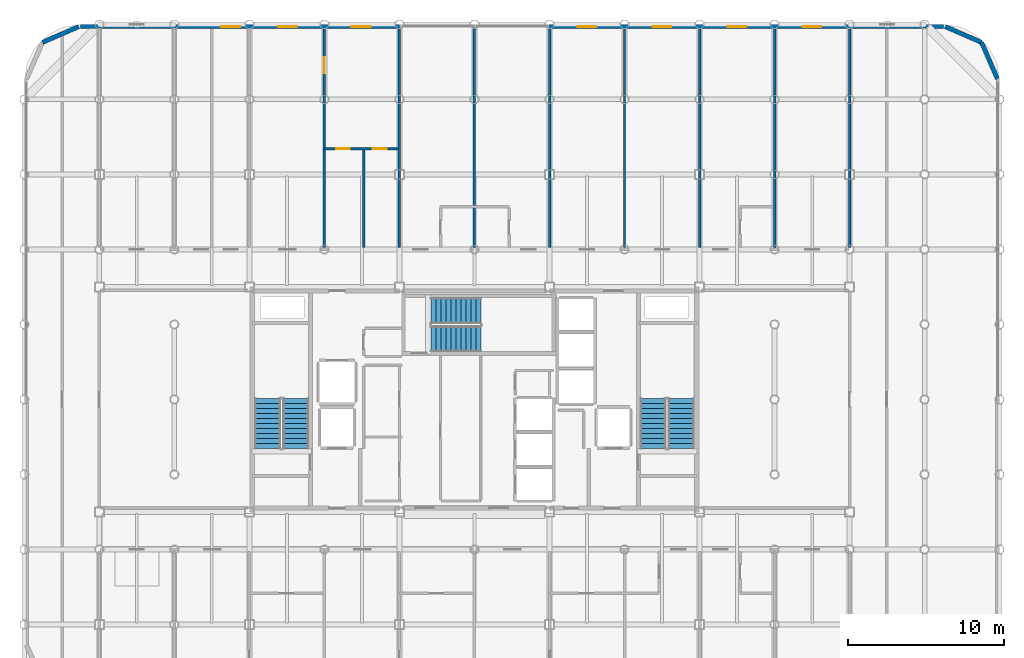
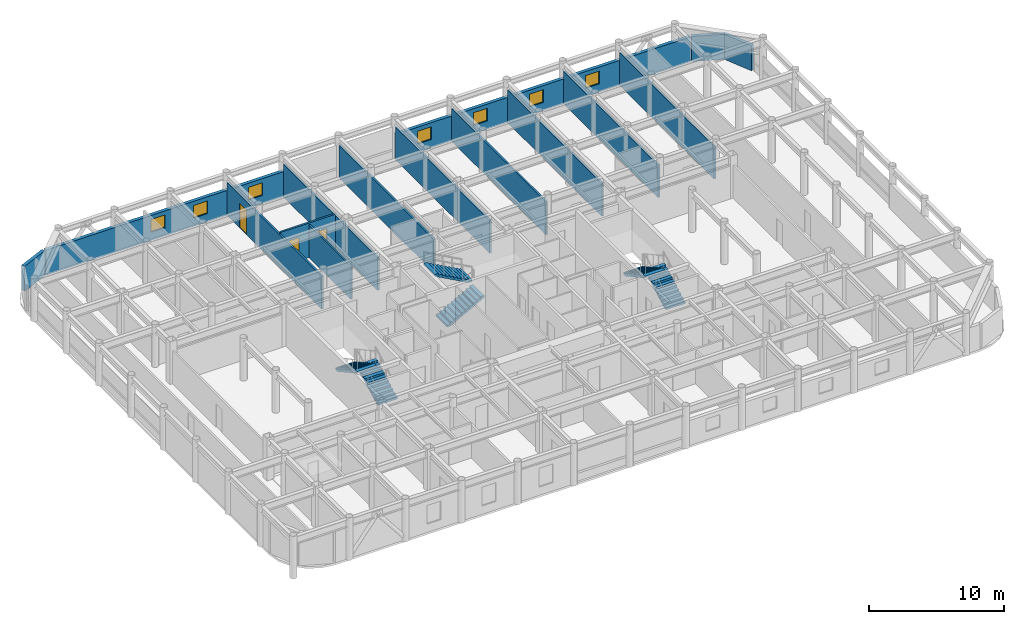
# One storey, part 22 of 24: 15 walls, 7 windows, 6 stair flights, 3 doors, 10 openings, 3 elements without a shape of their own.
"""IFC4 building model written with IfcOpenShell, lengths in metres."""

from ifc_helpers import new_model, si_unit, direction, frame, frame_2d, origin, place, context, subcontext, project, spatial, polyline, rectangle, outline, extrude, material, layer, layer_set, type_object, element, fill, aggregate, save


model = new_model("IFC4")

# Units and contexts
model_context = context("Model", 3, precision=1e-05, world=origin(), true_north=direction((0.0, 1.0)))
body_context = subcontext(model_context, "Body", "Model", "MODEL_VIEW")
ifc_project = project(units=[si_unit("LENGTHUNIT", "METRE"), si_unit("AREAUNIT", "SQUARE_METRE"), si_unit("VOLUMEUNIT", "CUBIC_METRE"), si_unit("PLANEANGLEUNIT", "RADIAN"), si_unit("MASSUNIT", "GRAM", prefix="KILO")], contexts=[model_context])

# Site, building, storey
site_placement = place(None, origin())
site = spatial("IfcSite", under=ifc_project, at=site_placement, CompositionType="ELEMENT")
building_placement = place(site_placement, origin())
building = spatial("IfcBuilding", under=site, at=building_placement, Name="Kallvorn Hotel Tower", CompositionType="ELEMENT")
storey_placement = place(building_placement, frame((0.0, 0.0, 233.85009765625)))
storey = spatial("IfcBuildingStorey", under=building, at=storey_placement, Name="L58", CompositionType="ELEMENT", Elevation=233.85009765625)

# Wall, openings, doors
ifc_material_1 = material(Name="Fire-rated double-layer acoustic gypsum drywall EI 60")
ifc_layer_1 = layer(ifc_material_1, 0.159912109375)
ifc_layer_set_1 = layer_set([ifc_layer_1], Name="WL_DEMISE_160")
wall_type_1 = type_object("IfcWallType", Name="WL_DEMISE_160", PredefinedType="PARTITIONING", material=ifc_layer_set_1)
wall_1_placement = place(storey_placement, frame((-9.60009765625, 16.050048828125, 0.0), z_axis=(0.0, 0.0, 1.0), x_axis=(1.0, 0.0, 0.0)))
wall_1 = element("IfcWall", 1, at=wall_1_placement, inside=storey, type_object=wall_type_1, Name="L58 Suite 5806 Junior Bedroom Partition", PredefinedType="PARTITIONING", context=body_context, shape_type="SweptSolid", body=[
    extrude(rectangle(XDim=4.72021484375, YDim=0.159912109375, at=frame_2d((2.360107421875, 0.0))), origin(), (0.0, 0.0, 1.0), 3.119873046875),
])
opening_1_placement = place(wall_1_placement, frame((0.75, 0.0, 0.0)))
opening_1 = element("IfcOpeningElement", 2, at=opening_1_placement, cuts=wall_1, Name="Opening BD-I", PredefinedType="OPENING", context=body_context, shape_type="SweptSolid", body=[
    extrude(rectangle(XDim=0.860107421875, YDim=2.10009765625, at=frame_2d((0.43017578125, 1.050048828125))), frame((0.0, 0.094970703125, 0.0), z_axis=(0.0, -1.0, 0.0), x_axis=(1.0, 0.0, 0.0)), (0.0, 0.0, 1.0), 0.18994140625),
])
opening_2_placement = place(wall_1_placement, frame((3.090087890625, 0.0, 0.0)))
opening_2 = element("IfcOpeningElement", 3, at=opening_2_placement, cuts=wall_1, Name="Opening SVD1", PredefinedType="OPENING", context=body_context, shape_type="SweptSolid", body=[
    extrude(rectangle(XDim=0.89990234375, YDim=2.10009765625, at=frame_2d((0.449951171875, 1.050048828125))), frame((0.0, 0.094970703125, 0.0), z_axis=(0.0, -1.0, 0.0), x_axis=(1.0, 0.0, 0.0)), (0.0, 0.0, 1.0), 0.18994140625),
])
ifc_material_2 = material(Name="Solid-core walnut veneer fire-rated timber door leaf", Category="wood")
door_type_1 = type_object("IfcDoorType", Name="DR_BATH_860x2100", OperationType="NOTDEFINED", PredefinedType="DOOR", material=ifc_material_2)
door_1_placement = place(opening_1_placement, origin())
door_1 = element("IfcDoor", 4, at=door_1_placement, inside=storey, type_object=door_type_1, Name="L58 Suite 5806 En-Suite Bathroom Door", OperationType="SINGLE_SWING_RIGHT", OverallHeight=2.10009765625, OverallWidth=0.860107421875, PredefinedType="DOOR", context=body_context, shape_type="SweptSolid", body=[
    extrude(rectangle(XDim=0.860107421875, YDim=2.10009765625, at=frame_2d((0.43017578125, 1.050048828125))), frame((0.0, 0.02490234375, 0.0), z_axis=(0.0, -1.0, 0.0), x_axis=(1.0, 0.0, 0.0)), (0.0, 0.0, 1.0), 0.050048828125),
])
fill(opening_1, door_1)
ifc_material_3 = material(Name="Galvanised painted steel fire-rated door assembly", Category="steel")
door_type_2 = type_object("IfcDoorType", Name="DR_SERV_900x2100", OperationType="NOTDEFINED", PredefinedType="DOOR", material=ifc_material_3)
door_2_placement = place(opening_2_placement, origin())
door_2 = element("IfcDoor", 5, at=door_2_placement, inside=storey, type_object=door_type_2, Name="L58 Suite 5806 Walk-In Dressing Closet Door", OperationType="SINGLE_SWING_LEFT", OverallHeight=2.10009765625, OverallWidth=0.89990234375, PredefinedType="DOOR", context=body_context, shape_type="SweptSolid", body=[
    extrude(rectangle(XDim=0.89990234375, YDim=2.10009765625, at=frame_2d((0.449951171875, 1.050048828125))), frame((0.0, 0.02490234375, 0.0), z_axis=(0.0, -1.0, 0.0), x_axis=(1.0, 0.0, 0.0)), (0.0, 0.0, 1.0), 0.050048828125),
])
fill(opening_2, door_2)

# Wall, opening, door
wall_2_placement = place(storey_placement, frame((-9.60009765625, 9.719970703125, 0.0), z_axis=(0.0, 0.0, 1.0), x_axis=(0.0, 1.0, 0.0)))
wall_2 = element("IfcWall", 6, at=wall_2_placement, inside=storey, type_object=wall_type_1, Name="L58 Suite 5806 Junior Living Salon Partition", PredefinedType="PARTITIONING", context=body_context, shape_type="SweptSolid", body=[
    extrude(rectangle(XDim=13.989990234375, YDim=0.159912109375, at=frame_2d((6.9951171875, 0.0))), origin(), (0.0, 0.0, 1.0), 2.969970703125),
])
opening_3_placement = place(wall_2_placement, frame((11.136962890625, 0.0, 0.0)))
opening_3 = element("IfcOpeningElement", 7, at=opening_3_placement, cuts=wall_2, Name="Opening GD2", PredefinedType="OPENING", context=body_context, shape_type="SweptSolid", body=[
    extrude(rectangle(XDim=1.050048828125, YDim=2.199951171875, at=frame_2d((0.52490234375, 1.10009765625))), frame((0.0, 0.094970703125, 0.0), z_axis=(0.0, -1.0, 0.0), x_axis=(1.0, 0.0, 0.0)), (0.0, 0.0, 1.0), 0.18994140625),
])
ifc_material_4 = material(Name="Solid-core walnut veneer fire-rated timber door leaf", Category="wood")
door_type_3 = type_object("IfcDoorType", Name="DR_SUITE_1050x2200", OperationType="NOTDEFINED", PredefinedType="DOOR", material=ifc_material_4)
door_3_placement = place(opening_3_placement, origin())
door_3 = element("IfcDoor", 8, at=door_3_placement, inside=storey, type_object=door_type_3, Name="L58 Suite 5806 Junior Bedroom Door", OperationType="SINGLE_SWING_LEFT", OverallHeight=2.199951171875, OverallWidth=1.050048828125, PredefinedType="DOOR", context=body_context, shape_type="SweptSolid", body=[
    extrude(rectangle(XDim=1.050048828125, YDim=2.199951171875, at=frame_2d((0.52490234375, 1.10009765625))), frame((0.0, 0.02490234375, 0.0), z_axis=(0.0, -1.0, 0.0), x_axis=(1.0, 0.0, 0.0)), (0.0, 0.0, 1.0), 0.050048828125),
])
fill(opening_3, door_3)

# Walls
wall_3_placement = place(storey_placement, frame((-4.800048828125, 9.719970703125, 0.0), z_axis=(0.0, 0.0, 1.0), x_axis=(0.0, 1.0, 0.0)))
element("IfcWall", 9, at=wall_3_placement, inside=storey, type_object=wall_type_1, Name="L58 Suite 5807 Standard King Room Partition", PredefinedType="PARTITIONING", context=body_context, shape_type="SweptSolid", body=[
    extrude(rectangle(XDim=13.989990234375, YDim=0.159912109375, at=frame_2d((6.9951171875, 0.0))), origin(), (0.0, 0.0, 1.0), 2.969970703125),
])
wall_4_placement = place(storey_placement, frame((0.0, 9.719970703125, 0.0), z_axis=(0.0, 0.0, 1.0), x_axis=(0.0, 1.0, 0.0)))
element("IfcWall", 10, at=wall_4_placement, inside=storey, type_object=wall_type_1, Name="L58 Suite 5807 Standard King Room Partition", PredefinedType="PARTITIONING", context=body_context, shape_type="SweptSolid", body=[
    extrude(rectangle(XDim=14.074951171875, YDim=0.159912109375, at=frame_2d((7.03759765625, 0.0))), origin(), (0.0, 0.0, 1.0), 2.969970703125),
])
for number, where, z_axis, x_axis, name in (
    (11, (4.800048828125, 9.719970703125, 0.0), (0.0, 0.0, 1.0), (0.0, 1.0, 0.0), "L58 Suite 5808 Standard King Room Partition"),
    (12, (14.39990234375, 9.719970703125, 0.0), (0.0, 0.0, 1.0), (0.0, 1.0, 0.0), "L58 Suite 5809 Standard Twin Room Partition"),
    (13, (19.199951171875, 9.719970703125, 0.0), (0.0, 0.0, 1.0), (0.0, 1.0, 0.0), "L58 Suite 5809 Standard Twin Room Partition"),
):
    element("IfcWall", number, at=place(storey_placement, frame(where, z_axis=z_axis, x_axis=x_axis)), inside=storey, type_object=wall_type_1, Name=name, PredefinedType="PARTITIONING", context=body_context, shape_type="SweptSolid", body=[
        extrude(rectangle(XDim=13.989990234375, YDim=0.159912109375, at=frame_2d((6.9951171875, 0.0))), origin(), (0.0, 0.0, 1.0), 2.969970703125),
    ])
ifc_material_5 = material(Name="Precast basalt-clad insulated concrete wall C40/50", Category="masonry")
ifc_layer_2 = layer(ifc_material_5, 0.280029296875)
ifc_layer_set_2 = layer_set([ifc_layer_2], Name="WL_EXT_LOGGIA_280")
wall_type_2 = type_object("IfcWallType", Name="WL_EXT_LOGGIA_280", PredefinedType="SOLIDWALL", material=ifc_layer_set_2)
wall_5_placement = place(storey_placement, frame((33.4580078125, 20.520751953125, 0.0), z_axis=(0.0, 0.0, 1.0), x_axis=(-0.398792985289, 0.917040977756, 0.0)))
element("IfcWall", 14, at=wall_5_placement, inside=storey, type_object=wall_type_2, Name="L58 Rounded Corner Exterior Wall NE1", PredefinedType="SOLIDWALL", context=body_context, shape_type="SweptSolid", body=[
    extrude(rectangle(XDim=2.536376953125, YDim=0.280029296875, at=frame_2d((1.26806640625, 0.0))), origin(), (0.0, 0.0, 1.0), 2.27001953125),
])
for number, where, z_axis, x_axis, name in (
    (15, (32.446533203125, 22.8466796875, 0.0), (0.0, 0.0, 1.0), (-0.917060872934, 0.398747232384, 0.0), "L58 Rounded Corner Exterior Wall NE2"),
    (16, (-25.32080078125, 23.85791015625, 0.0), (0.0, 0.0, 1.0), (-0.917060872934, -0.398747232384, 0.0), "L58 Rounded Corner Exterior Wall NW1"),
):
    element("IfcWall", number, at=place(storey_placement, frame(where, z_axis=z_axis, x_axis=x_axis)), inside=storey, type_object=wall_type_2, Name=name, PredefinedType="SOLIDWALL", context=body_context, shape_type="SweptSolid", body=[
        extrude(rectangle(XDim=2.5361328125, YDim=0.280029296875, at=frame_2d((1.26806640625, 0.0))), origin(), (0.0, 0.0, 1.0), 2.27001953125),
    ])

# Wall, openings, windows
wall_6_placement = place(storey_placement, frame((-25.199951171875, 23.860107421875, 0.0), z_axis=(0.0, 0.0, 1.0), x_axis=(1.0, 0.0, 0.0)))
wall_6 = element("IfcWall", 17, at=wall_6_placement, inside=storey, type_object=wall_type_2, Name="L58 Exterior Envelope Wall EW-L58-NW", PredefinedType="SOLIDWALL", context=body_context, shape_type="SweptSolid", body=[
    extrude(rectangle(XDim=20.449951171875, YDim=0.280029296875, at=frame_2d((10.22509765625, 0.0))), origin(), (0.0, 0.0, 1.0), 2.27001953125),
])
opening_4_placement = place(wall_6_placement, frame((9.0, 0.0, 0.75)))
opening_4 = element("IfcOpeningElement", 18, at=opening_4_placement, cuts=wall_6, Name="Opening W06A", PredefinedType="OPENING", context=body_context, shape_type="SweptSolid", body=[
    extrude(rectangle(XDim=1.199951171875, YDim=1.14990234375, at=frame_2d((0.60009765625, 0.574951171875))), frame((0.0, 0.155029296875, 0.0), z_axis=(0.0, -1.0, 0.0), x_axis=(1.0, 0.0, 0.0)), (0.0, 0.0, 1.0), 0.31005859375),
])
opening_5_placement = place(wall_6_placement, frame((12.639892578125, 0.0, 0.75)))
opening_5 = element("IfcOpeningElement", 19, at=opening_5_placement, cuts=wall_6, Name="Opening W06A", PredefinedType="OPENING", context=body_context, shape_type="SweptSolid", body=[
    extrude(rectangle(XDim=1.199951171875, YDim=1.14990234375, at=frame_2d((0.60009765625, 0.574951171875))), frame((0.0, 0.155029296875, 0.0), z_axis=(0.0, -1.0, 0.0), x_axis=(1.0, 0.0, 0.0)), (0.0, 0.0, 1.0), 0.31005859375),
])
opening_6_placement = place(wall_6_placement, frame((17.360107421875, 0.0, 0.75)))
opening_6 = element("IfcOpeningElement", 20, at=opening_6_placement, cuts=wall_6, Name="Opening W06A", PredefinedType="OPENING", context=body_context, shape_type="SweptSolid", body=[
    extrude(rectangle(XDim=1.199951171875, YDim=1.14990234375, at=frame_2d((0.60009765625, 0.574951171875))), frame((0.0, 0.155029296875, 0.0), z_axis=(0.0, -1.0, 0.0), x_axis=(1.0, 0.0, 0.0)), (0.0, 0.0, 1.0), 0.31005859375),
])
ifc_material_6 = material(Name="Triple-glazed low-e acoustic solar-control dark glass", Category="glass")
window_type = type_object("IfcWindowType", Name="WN_HTL_1200x1150", PartitioningType="SINGLE_PANEL", PredefinedType="WINDOW", material=ifc_material_6)
window_1_placement = place(opening_4_placement, origin())
window_1 = element("IfcWindow", 21, at=window_1_placement, inside=storey, type_object=window_type, Name="L58 Guestroom Exterior Window 09", OverallHeight=1.14990234375, OverallWidth=1.199951171875, PartitioningType="SINGLE_PANEL", PredefinedType="WINDOW", context=body_context, shape_type="SweptSolid", body=[
    extrude(rectangle(XDim=1.199951171875, YDim=1.14990234375, at=frame_2d((0.60009765625, 0.574951171875))), frame((0.0, 0.030029296875, 0.0), z_axis=(0.0, -1.0, 0.0), x_axis=(1.0, 0.0, 0.0)), (0.0, 0.0, 1.0), 0.06005859375),
])
fill(opening_4, window_1)
window_2_placement = place(opening_5_placement, origin())
window_2 = element("IfcWindow", 22, at=window_2_placement, inside=storey, type_object=window_type, Name="L58 Guestroom Exterior Window 10", OverallHeight=1.14990234375, OverallWidth=1.199951171875, PartitioningType="SINGLE_PANEL", PredefinedType="WINDOW", context=body_context, shape_type="SweptSolid", body=[
    extrude(rectangle(XDim=1.199951171875, YDim=1.14990234375, at=frame_2d((0.60009765625, 0.574951171875))), frame((0.0, 0.030029296875, 0.0), z_axis=(0.0, -1.0, 0.0), x_axis=(1.0, 0.0, 0.0)), (0.0, 0.0, 1.0), 0.06005859375),
])
fill(opening_5, window_2)
window_3_placement = place(opening_6_placement, origin())
window_3 = element("IfcWindow", 23, at=window_3_placement, inside=storey, type_object=window_type, Name="L58 Guestroom Exterior Window 11", OverallHeight=1.14990234375, OverallWidth=1.199951171875, PartitioningType="SINGLE_PANEL", PredefinedType="WINDOW", context=body_context, shape_type="SweptSolid", body=[
    extrude(rectangle(XDim=1.199951171875, YDim=1.14990234375, at=frame_2d((0.60009765625, 0.574951171875))), frame((0.0, 0.030029296875, 0.0), z_axis=(0.0, -1.0, 0.0), x_axis=(1.0, 0.0, 0.0)), (0.0, 0.0, 1.0), 0.06005859375),
])
fill(opening_6, window_3)

wall_7_placement = place(storey_placement, frame((4.75, 23.860107421875, 0.0), z_axis=(0.0, 0.0, 1.0), x_axis=(1.0, 0.0, 0.0)))
wall_7 = element("IfcWall", 24, at=wall_7_placement, inside=storey, type_object=wall_type_2, Name="L58 Exterior Envelope Wall EW-L58-NE", PredefinedType="SOLIDWALL", context=body_context, shape_type="SweptSolid", body=[
    extrude(rectangle(XDim=25.25, YDim=0.280029296875, at=frame_2d((12.625, 0.0))), origin(), (0.0, 0.0, 1.0), 2.27001953125),
])
opening_7_placement = place(wall_7_placement, frame((16.25, 0.0, 0.75)))
opening_7 = element("IfcOpeningElement", 25, at=opening_7_placement, cuts=wall_7, Name="Opening W06A", PredefinedType="OPENING", context=body_context, shape_type="SweptSolid", body=[
    extrude(rectangle(XDim=1.199951171875, YDim=1.14990234375, at=frame_2d((0.60009765625, 0.574951171875))), frame((0.0, 0.155029296875, 0.0), z_axis=(0.0, -1.0, 0.0), x_axis=(1.0, 0.0, 0.0)), (0.0, 0.0, 1.0), 0.31005859375),
])
opening_8_placement = place(wall_7_placement, frame((1.85009765625, 0.0, 0.75)))
opening_8 = element("IfcOpeningElement", 26, at=opening_8_placement, cuts=wall_7, Name="Opening W06A", PredefinedType="OPENING", context=body_context, shape_type="SweptSolid", body=[
    extrude(rectangle(XDim=1.199951171875, YDim=1.14990234375, at=frame_2d((0.60009765625, 0.574951171875))), frame((0.0, 0.155029296875, 0.0), z_axis=(0.0, -1.0, 0.0), x_axis=(1.0, 0.0, 0.0)), (0.0, 0.0, 1.0), 0.31005859375),
])
opening_9_placement = place(wall_7_placement, frame((6.64990234375, 0.0, 0.75)))
opening_9 = element("IfcOpeningElement", 27, at=opening_9_placement, cuts=wall_7, Name="Opening W06A", PredefinedType="OPENING", context=body_context, shape_type="SweptSolid", body=[
    extrude(rectangle(XDim=1.199951171875, YDim=1.14990234375, at=frame_2d((0.60009765625, 0.574951171875))), frame((0.0, 0.155029296875, 0.0), z_axis=(0.0, -1.0, 0.0), x_axis=(1.0, 0.0, 0.0)), (0.0, 0.0, 1.0), 0.31005859375),
])
opening_10_placement = place(wall_7_placement, frame((11.449951171875, 0.0, 0.75)))
opening_10 = element("IfcOpeningElement", 28, at=opening_10_placement, cuts=wall_7, Name="Opening W06A", PredefinedType="OPENING", context=body_context, shape_type="SweptSolid", body=[
    extrude(rectangle(XDim=1.199951171875, YDim=1.14990234375, at=frame_2d((0.60009765625, 0.574951171875))), frame((0.0, 0.155029296875, 0.0), z_axis=(0.0, -1.0, 0.0), x_axis=(1.0, 0.0, 0.0)), (0.0, 0.0, 1.0), 0.31005859375),
])
window_4_placement = place(opening_7_placement, origin())
window_4 = element("IfcWindow", 29, at=window_4_placement, inside=storey, type_object=window_type, Name="L58 Guestroom Exterior Window 02", OverallHeight=1.14990234375, OverallWidth=1.199951171875, PartitioningType="SINGLE_PANEL", PredefinedType="WINDOW", context=body_context, shape_type="SweptSolid", body=[
    extrude(rectangle(XDim=1.199951171875, YDim=1.14990234375, at=frame_2d((0.60009765625, 0.574951171875))), frame((0.0, 0.030029296875, 0.0), z_axis=(0.0, -1.0, 0.0), x_axis=(1.0, 0.0, 0.0)), (0.0, 0.0, 1.0), 0.06005859375),
])
fill(opening_7, window_4)
window_5_placement = place(opening_8_placement, origin())
window_5 = element("IfcWindow", 30, at=window_5_placement, inside=storey, type_object=window_type, Name="L58 Guestroom Exterior Window 12", OverallHeight=1.14990234375, OverallWidth=1.199951171875, PartitioningType="SINGLE_PANEL", PredefinedType="WINDOW", context=body_context, shape_type="SweptSolid", body=[
    extrude(rectangle(XDim=1.199951171875, YDim=1.14990234375, at=frame_2d((0.60009765625, 0.574951171875))), frame((0.0, 0.030029296875, 0.0), z_axis=(0.0, -1.0, 0.0), x_axis=(1.0, 0.0, 0.0)), (0.0, 0.0, 1.0), 0.06005859375),
])
fill(opening_8, window_5)
window_6_placement = place(opening_9_placement, origin())
window_6 = element("IfcWindow", 31, at=window_6_placement, inside=storey, type_object=window_type, Name="L58 Guestroom Exterior Window 13", OverallHeight=1.14990234375, OverallWidth=1.199951171875, PartitioningType="SINGLE_PANEL", PredefinedType="WINDOW", context=body_context, shape_type="SweptSolid", body=[
    extrude(rectangle(XDim=1.199951171875, YDim=1.14990234375, at=frame_2d((0.60009765625, 0.574951171875))), frame((0.0, 0.030029296875, 0.0), z_axis=(0.0, -1.0, 0.0), x_axis=(1.0, 0.0, 0.0)), (0.0, 0.0, 1.0), 0.06005859375),
])
fill(opening_9, window_6)
window_7_placement = place(opening_10_placement, origin())
window_7 = element("IfcWindow", 32, at=window_7_placement, inside=storey, type_object=window_type, Name="L58 Guestroom Exterior Window 14", OverallHeight=1.14990234375, OverallWidth=1.199951171875, PartitioningType="SINGLE_PANEL", PredefinedType="WINDOW", context=body_context, shape_type="SweptSolid", body=[
    extrude(rectangle(XDim=1.199951171875, YDim=1.14990234375, at=frame_2d((0.60009765625, 0.574951171875))), frame((0.0, 0.030029296875, 0.0), z_axis=(0.0, -1.0, 0.0), x_axis=(1.0, 0.0, 0.0)), (0.0, 0.0, 1.0), 0.06005859375),
])
fill(opening_10, window_7)

# Walls
ifc_material_7 = material(Name="Fire-rated double-layer acoustic gypsum drywall EI 60")
ifc_layer_3 = layer(ifc_material_7, 0.14990234375)
ifc_layer_set_3 = layer_set([ifc_layer_3], Name="WL_PART_150")
wall_type_3 = type_object("IfcWallType", Name="WL_PART_150", PredefinedType="PARTITIONING", material=ifc_layer_set_3)
wall_8_placement = place(storey_placement, frame((-7.095947265625, 9.719970703125, 0.0), z_axis=(0.0, 0.0, 1.0), x_axis=(0.0, 1.0, 0.0)))
element("IfcWall", 33, at=wall_8_placement, inside=storey, type_object=wall_type_3, Name="L58 Suite 5806 Walk-In Dressing Closet Partition", PredefinedType="PARTITIONING", context=body_context, shape_type="SweptSolid", body=[
    extrude(rectangle(XDim=6.2451171875, YDim=0.14990234375, at=frame_2d((3.12255859375, 0.0))), origin(), (0.0, 0.0, 1.0), 2.969970703125),
])
for number, where, z_axis, x_axis, name in (
    (34, (9.60009765625, 9.719970703125, 0.0), (0.0, 0.0, 1.0), (0.0, 1.0, 0.0), "L58 L58 Diplomatic Summit Conference Boardroom 5-1 Partition"),
    (35, (24.0, 9.719970703125, 0.0), (0.0, 0.0, 1.0), (0.0, 1.0, 0.0), "L58 L58 High-Zone North-East Pastry Bar Partition"),
):
    element("IfcWall", number, at=place(storey_placement, frame(where, z_axis=z_axis, x_axis=x_axis)), inside=storey, type_object=wall_type_3, Name=name, PredefinedType="PARTITIONING", context=body_context, shape_type="SweptSolid", body=[
        extrude(rectangle(XDim=13.989990234375, YDim=0.14990234375, at=frame_2d((6.9951171875, 0.0))), origin(), (0.0, 0.0, 1.0), 2.969970703125),
    ])

# Stair, stair flights
ifc_material_8 = material(Name="Precast concrete C40/50", Category="concrete")
stair_type = type_object("IfcStairType", Name="STR_CORE_DOGLEG", PredefinedType="HALF_TURN_STAIR", material=ifc_material_8)
stair_1_placement = place(storey_placement, origin())
stair_1 = element("IfcStair", 36, at=stair_1_placement, inside=storey, type_object=stair_type, Name="L58 Exit stair ST1", PredefinedType="HALF_TURN_STAIR")
ifc_material_9 = material(Name="Precast concrete C40/50", Category="concrete")
stair_flight_type = type_object("IfcStairFlightType", Name="FLT_CORE_1660", PredefinedType="STRAIGHT", material=ifc_material_9)
stair_flight_1_placement = place(storey_placement, frame((-11.429931640625, -3.139892578125, 0.0), z_axis=(0.0, 0.0, 1.0), x_axis=(0.0, 1.0, 0.0)))
stair_flight_1 = element("IfcStairFlight", 37, at=stair_flight_1_placement, type_object=stair_flight_type, Name="ST1 flight 1", NumberOfRisers=11, NumberOfTreads=10, PredefinedType="STRAIGHT", RiserHeight=0.175, TreadLength=0.32, context=body_context, shape_type="SweptSolid", body=[
    extrude(outline(polyline([(0.0, 0.0), (0.0, 0.175048828125), (0.320068359375, 0.175048828125), (0.320068359375, 0.35009765625), (0.639892578125, 0.35009765625), (0.639892578125, 0.52490234375), (0.9599609375, 0.52490234375), (0.9599609375, 0.699951171875), (1.280029296875, 0.699951171875), (1.280029296875, 0.875), (1.60009765625, 0.875), (1.60009765625, 1.050048828125), (1.919921875, 1.050048828125), (1.919921875, 1.22509765625), (2.239990234375, 1.22509765625), (2.239990234375, 1.39990234375), (2.56005859375, 1.39990234375), (2.56005859375, 1.574951171875), (2.8798828125, 1.574951171875), (2.8798828125, 1.75), (3.199951171875, 1.75), (3.199951171875, 1.925048828125), (3.199951171875, 1.5791015625), (0.3125, 0.0), (0.0, 0.0)])), frame((0.0, 0.830078125, 0.0), z_axis=(0.0, -1.0, 0.0), x_axis=(1.0, 0.0, 0.0)), (0.0, 0.0, 1.0), 1.659912109375),
])
stair_flight_2_placement = place(storey_placement, frame((-13.22998046875, 0.06005859375, 1.9248046875), z_axis=(0.0, 0.0, 1.0), x_axis=(0.0, -1.0, 0.0)))
stair_flight_2 = element("IfcStairFlight", 38, at=stair_flight_2_placement, type_object=stair_flight_type, Name="ST1 flight 2", NumberOfRisers=11, NumberOfTreads=10, PredefinedType="STRAIGHT", RiserHeight=0.175, TreadLength=0.32, context=body_context, shape_type="SweptSolid", body=[
    extrude(outline(polyline([(0.0, 0.0), (0.0, 0.175048828125), (0.320068359375, 0.175048828125), (0.320068359375, 0.35009765625), (0.639892578125, 0.35009765625), (0.639892578125, 0.52490234375), (0.9599609375, 0.52490234375), (0.9599609375, 0.699951171875), (1.280029296875, 0.699951171875), (1.280029296875, 0.875), (1.60009765625, 0.875), (1.60009765625, 1.050048828125), (1.919921875, 1.050048828125), (1.919921875, 1.22509765625), (2.239990234375, 1.22509765625), (2.239990234375, 1.39990234375), (2.56005859375, 1.39990234375), (2.56005859375, 1.574951171875), (2.8798828125, 1.574951171875), (2.8798828125, 1.75), (3.199951171875, 1.75), (3.199951171875, 1.925048828125), (3.199951171875, 1.5791015625), (0.3125, 0.0), (0.0, 0.0)])), frame((0.0, 0.830078125, 0.0), z_axis=(0.0, -1.0, 0.0), x_axis=(1.0, 0.0, 0.0)), (0.0, 0.0, 1.0), 1.659912109375),
])
aggregate(stair_1, [stair_flight_1, stair_flight_2])

stair_2_placement = place(storey_placement, origin())
stair_2 = element("IfcStair", 39, at=stair_2_placement, inside=storey, type_object=stair_type, Name="L58 Exit stair ST2", PredefinedType="HALF_TURN_STAIR")
stair_flight_3_placement = place(storey_placement, frame((13.22998046875, -3.139892578125, 0.0), z_axis=(0.0, 0.0, 1.0), x_axis=(0.0, 1.0, 0.0)))
stair_flight_3 = element("IfcStairFlight", 40, at=stair_flight_3_placement, type_object=stair_flight_type, Name="ST2 flight 1", NumberOfRisers=11, NumberOfTreads=10, PredefinedType="STRAIGHT", RiserHeight=0.175, TreadLength=0.32, context=body_context, shape_type="SweptSolid", body=[
    extrude(outline(polyline([(0.0, 0.0), (0.0, 0.175048828125), (0.320068359375, 0.175048828125), (0.320068359375, 0.35009765625), (0.639892578125, 0.35009765625), (0.639892578125, 0.52490234375), (0.9599609375, 0.52490234375), (0.9599609375, 0.699951171875), (1.280029296875, 0.699951171875), (1.280029296875, 0.875), (1.60009765625, 0.875), (1.60009765625, 1.050048828125), (1.919921875, 1.050048828125), (1.919921875, 1.22509765625), (2.239990234375, 1.22509765625), (2.239990234375, 1.39990234375), (2.56005859375, 1.39990234375), (2.56005859375, 1.574951171875), (2.8798828125, 1.574951171875), (2.8798828125, 1.75), (3.199951171875, 1.75), (3.199951171875, 1.925048828125), (3.199951171875, 1.5791015625), (0.3125, 0.0), (0.0, 0.0)])), frame((0.0, 0.830078125, 0.0), z_axis=(0.0, -1.0, 0.0), x_axis=(1.0, 0.0, 0.0)), (0.0, 0.0, 1.0), 1.659912109375),
])
stair_flight_4_placement = place(storey_placement, frame((11.429931640625, 0.06005859375, 1.9248046875), z_axis=(0.0, 0.0, 1.0), x_axis=(0.0, -1.0, 0.0)))
stair_flight_4 = element("IfcStairFlight", 41, at=stair_flight_4_placement, type_object=stair_flight_type, Name="ST2 flight 2", NumberOfRisers=11, NumberOfTreads=10, PredefinedType="STRAIGHT", RiserHeight=0.175, TreadLength=0.32, context=body_context, shape_type="SweptSolid", body=[
    extrude(outline(polyline([(0.0, 0.0), (0.0, 0.175048828125), (0.320068359375, 0.175048828125), (0.320068359375, 0.35009765625), (0.639892578125, 0.35009765625), (0.639892578125, 0.52490234375), (0.9599609375, 0.52490234375), (0.9599609375, 0.699951171875), (1.280029296875, 0.699951171875), (1.280029296875, 0.875), (1.60009765625, 0.875), (1.60009765625, 1.050048828125), (1.919921875, 1.050048828125), (1.919921875, 1.22509765625), (2.239990234375, 1.22509765625), (2.239990234375, 1.39990234375), (2.56005859375, 1.39990234375), (2.56005859375, 1.574951171875), (2.8798828125, 1.574951171875), (2.8798828125, 1.75), (3.199951171875, 1.75), (3.199951171875, 1.925048828125), (3.199951171875, 1.5791015625), (0.3125, 0.0), (0.0, 0.0)])), frame((0.0, 0.830078125, 0.0), z_axis=(0.0, -1.0, 0.0), x_axis=(1.0, 0.0, 0.0)), (0.0, 0.0, 1.0), 1.659912109375),
])
aggregate(stair_2, [stair_flight_3, stair_flight_4])

stair_3_placement = place(storey_placement, origin())
stair_3 = element("IfcStair", 42, at=stair_3_placement, inside=storey, type_object=stair_type, Name="L58 Exit stair ST3", PredefinedType="HALF_TURN_STAIR")
stair_flight_5_placement = place(storey_placement, frame((-2.7900390625, 3.8798828125, 0.0), z_axis=(0.0, 0.0, 1.0), x_axis=(1.0, 0.0, 0.0)))
stair_flight_5 = element("IfcStairFlight", 43, at=stair_flight_5_placement, type_object=stair_flight_type, Name="ST3 flight 1", NumberOfRisers=11, NumberOfTreads=10, PredefinedType="STRAIGHT", RiserHeight=0.175, TreadLength=0.32, context=body_context, shape_type="SweptSolid", body=[
    extrude(outline(polyline([(0.0, 0.0), (0.0, 0.175048828125), (0.320068359375, 0.175048828125), (0.320068359375, 0.35009765625), (0.639892578125, 0.35009765625), (0.639892578125, 0.52490234375), (0.9599609375, 0.52490234375), (0.9599609375, 0.699951171875), (1.280029296875, 0.699951171875), (1.280029296875, 0.875), (1.60009765625, 0.875), (1.60009765625, 1.050048828125), (1.919921875, 1.050048828125), (1.919921875, 1.22509765625), (2.239990234375, 1.22509765625), (2.239990234375, 1.39990234375), (2.56005859375, 1.39990234375), (2.56005859375, 1.574951171875), (2.8798828125, 1.574951171875), (2.8798828125, 1.75), (3.199951171875, 1.75), (3.199951171875, 1.925048828125), (3.199951171875, 1.5791015625), (0.3125, 0.0), (0.0, 0.0)])), frame((0.0, 0.830078125, 0.0), z_axis=(0.0, -1.0, 0.0), x_axis=(1.0, 0.0, 0.0)), (0.0, 0.0, 1.0), 1.659912109375),
])
stair_flight_6_placement = place(storey_placement, frame((0.409912109375, 5.679931640625, 1.9248046875), z_axis=(0.0, 0.0, 1.0), x_axis=(-1.0, 0.0, 0.0)))
stair_flight_6 = element("IfcStairFlight", 44, at=stair_flight_6_placement, type_object=stair_flight_type, Name="ST3 flight 2", NumberOfRisers=11, NumberOfTreads=10, PredefinedType="STRAIGHT", RiserHeight=0.175, TreadLength=0.32, context=body_context, shape_type="SweptSolid", body=[
    extrude(outline(polyline([(0.0, 0.0), (0.0, 0.175048828125), (0.320068359375, 0.175048828125), (0.320068359375, 0.35009765625), (0.639892578125, 0.35009765625), (0.639892578125, 0.52490234375), (0.9599609375, 0.52490234375), (0.9599609375, 0.699951171875), (1.280029296875, 0.699951171875), (1.280029296875, 0.875), (1.60009765625, 0.875), (1.60009765625, 1.050048828125), (1.919921875, 1.050048828125), (1.919921875, 1.22509765625), (2.239990234375, 1.22509765625), (2.239990234375, 1.39990234375), (2.56005859375, 1.39990234375), (2.56005859375, 1.574951171875), (2.8798828125, 1.574951171875), (2.8798828125, 1.75), (3.199951171875, 1.75), (3.199951171875, 1.925048828125), (3.199951171875, 1.5791015625), (0.3125, 0.0), (0.0, 0.0)])), frame((0.0, 0.830078125, 0.0), z_axis=(0.0, -1.0, 0.0), x_axis=(1.0, 0.0, 0.0)), (0.0, 0.0, 1.0), 1.659912109375),
])
aggregate(stair_3, [stair_flight_5, stair_flight_6])

save(model, "model.ifc")
